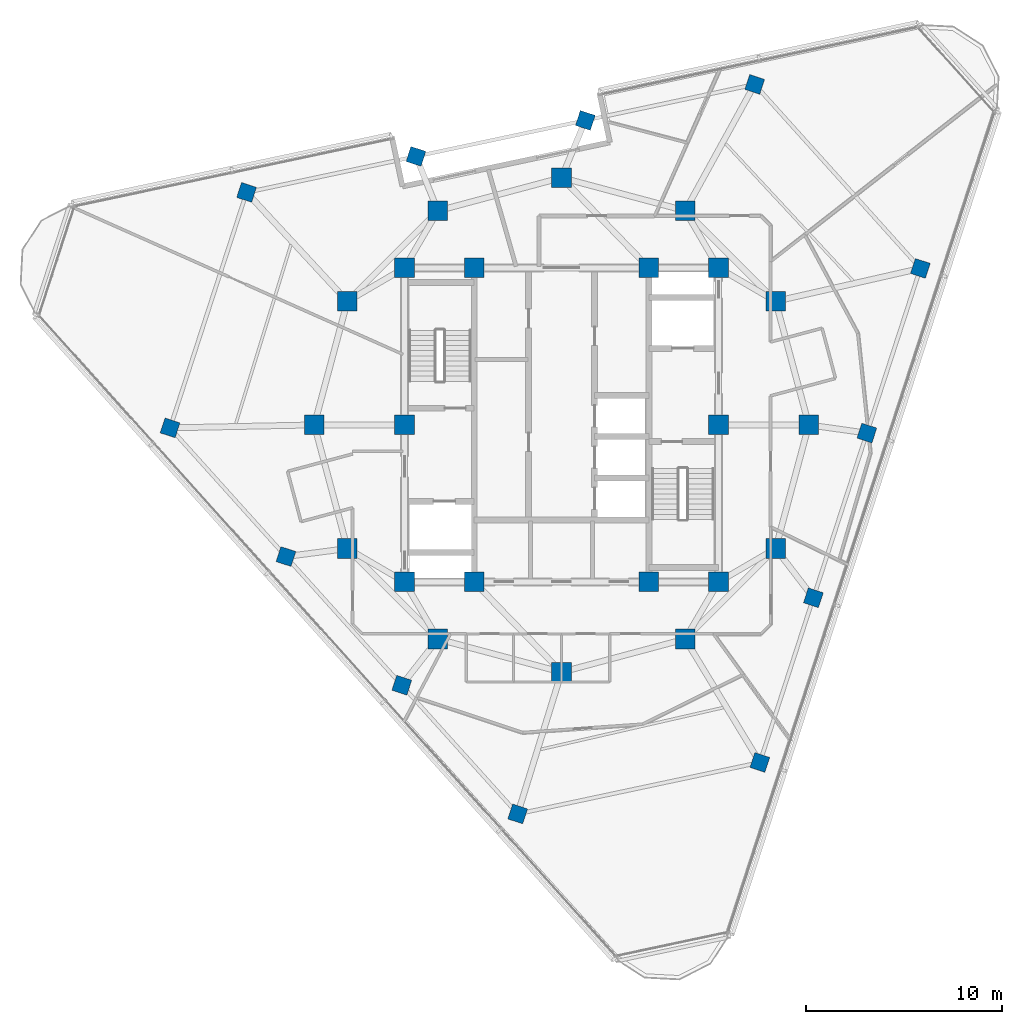
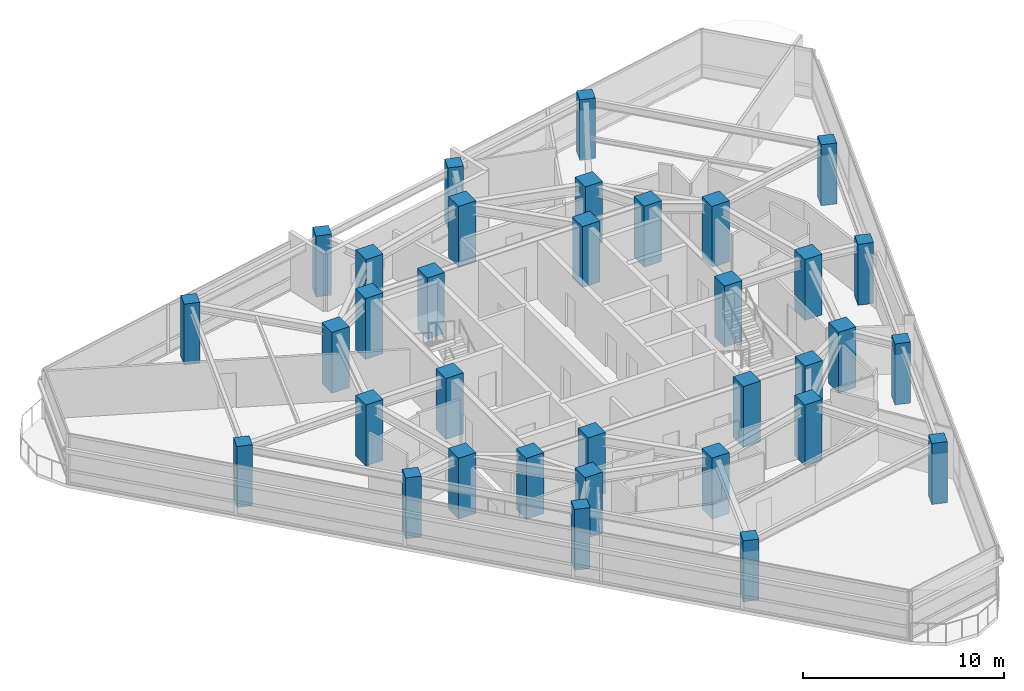
# One storey, part 1 of 15: 34 columns.
"""IFC4 building model written with IfcOpenShell, lengths in metres."""

from ifc_helpers import new_model, si_unit, direction, frame, origin, origin_2d, place, context, subcontext, project, spatial, rectangle, extrude, material, material_profile, profile_set, type_object, element, save


model = new_model("IFC4")

# Units and contexts
model_context = context("Model", 3, precision=1e-05, world=origin(), true_north=direction((0.0, 1.0)))
body_context = subcontext(model_context, "Body", "Model", "MODEL_VIEW")
ifc_project = project(units=[si_unit("LENGTHUNIT", "METRE"), si_unit("AREAUNIT", "SQUARE_METRE"), si_unit("VOLUMEUNIT", "CUBIC_METRE"), si_unit("PLANEANGLEUNIT", "RADIAN"), si_unit("MASSUNIT", "GRAM", prefix="KILO")], contexts=[model_context])

# Site, building, storey
site_placement = place(None, origin())
site = spatial("IfcSite", under=ifc_project, at=site_placement, CompositionType="ELEMENT")
building_placement = place(site_placement, origin())
building = spatial("IfcBuilding", under=site, at=building_placement, Name="Terralouvre Media Tower", CompositionType="ELEMENT")
storey_placement = place(building_placement, frame((0.0, 0.0, 298.0)))
storey = spatial("IfcBuildingStorey", under=building, at=storey_placement, Name="L77", CompositionType="ELEMENT", Elevation=298.0)

# Columns
ifc_material_1 = material(Name="Concrete C50/60", Category="concrete")
ifc_material_profile_1 = material_profile(ifc_material_1, rectangle(XDim=1.0, YDim=1.0, at=origin_2d()), Name="RC 1000x1000")
ifc_profile_set_1 = profile_set([ifc_material_profile_1], Name="Concrete C50/60")
column_type_1 = type_object("IfcColumnType", Name="Structural Column C-RC1000 (RC 1000x1000)", PredefinedType="COLUMN", material=ifc_profile_set_1)
for number, where, z_axis, x_axis, name in (
    (1, (-8.0, -8.0, 0.0), (0.0, 0.0, 1.0), (1.0, 0.0, 0.0), "L77 Core Pilaster Column CP1"),
    (2, (-4.449951171875, -8.0, 0.0), (0.0, 0.0, 1.0), (1.0, 0.0, 0.0), "L77 Core Pilaster Column CP2"),
    (3, (4.449951171875, -8.0, 0.0), (0.0, 0.0, 1.0), (1.0, 0.0, 0.0), "L77 Core Pilaster Column CP10"),
    (4, (8.0, -8.0, 0.0), (0.0, 0.0, 1.0), (1.0, 0.0, 0.0), "L77 Core Pilaster Column CP3"),
    (5, (8.0, 0.0, 0.0), (0.0, 0.0, 1.0), (1.0, 0.0, 0.0), "L77 Core Pilaster Column CP4"),
    (6, (8.0, 8.0, 0.0), (0.0, 0.0, 1.0), (1.0, 0.0, 0.0), "L77 Core Pilaster Column CP5"),
    (7, (4.449951171875, 8.0, 0.0), (0.0, 0.0, 1.0), (1.0, 0.0, 0.0), "L77 Core Pilaster Column CP9"),
    (8, (-4.449951171875, 8.0, 0.0), (0.0, 0.0, 1.0), (1.0, 0.0, 0.0), "L77 Core Pilaster Column CP6"),
    (9, (-8.0, 8.0, 0.0), (0.0, 0.0, 1.0), (1.0, 0.0, 0.0), "L77 Core Pilaster Column CP7"),
    (10, (-8.0, 0.0, 0.0), (0.0, 0.0, 1.0), (1.0, 0.0, 0.0), "L77 Core Pilaster Column CP8"),
    (11, (12.60009765625, 0.0, 0.0), (0.0, 0.0, 1.0), (1.0, 0.0, 0.0), "L77 Mega-Frame Column MC01"),
    (12, (10.911865234375, 6.300048828125, 0.0), (0.0, 0.0, 1.0), (1.0, 0.0, 0.0), "L77 Mega-Frame Column MC02"),
    (13, (6.300048828125, 10.911865234375, 0.0), (0.0, 0.0, 1.0), (1.0, 0.0, 0.0), "L77 Mega-Frame Column MC03"),
    (14, (0.0, 12.60009765625, 0.0), (0.0, 0.0, 1.0), (1.0, 0.0, 0.0), "L77 Mega-Frame Column MC04"),
    (15, (-6.300048828125, 10.911865234375, 0.0), (0.0, 0.0, 1.0), (1.0, 0.0, 0.0), "L77 Mega-Frame Column MC05"),
    (16, (-10.911865234375, 6.300048828125, 0.0), (0.0, 0.0, 1.0), (1.0, 0.0, 0.0), "L77 Mega-Frame Column MC06"),
    (17, (-12.60009765625, 0.0, 0.0), (0.0, 0.0, 1.0), (1.0, 0.0, 0.0), "L77 Mega-Frame Column MC07"),
    (18, (-10.911865234375, -6.300048828125, 0.0), (0.0, 0.0, 1.0), (1.0, 0.0, 0.0), "L77 Mega-Frame Column MC08"),
    (19, (-6.300048828125, -10.911865234375, 0.0), (0.0, 0.0, 1.0), (1.0, 0.0, 0.0), "L77 Mega-Frame Column MC09"),
    (20, (0.0, -12.60009765625, 0.0), (0.0, 0.0, 1.0), (1.0, 0.0, 0.0), "L77 Mega-Frame Column MC10"),
    (21, (6.300048828125, -10.911865234375, 0.0), (0.0, 0.0, 1.0), (1.0, 0.0, 0.0), "L77 Mega-Frame Column MC11"),
    (22, (10.911865234375, -6.300048828125, 0.0), (0.0, 0.0, 1.0), (1.0, 0.0, 0.0), "L77 Mega-Frame Column MC12"),
):
    element("IfcColumn", number, at=place(storey_placement, frame(where, z_axis=z_axis, x_axis=x_axis)), inside=storey, type_object=column_type_1, Name=name, PredefinedType="COLUMN", context=body_context, shape_type="SweptSolid", body=[
        extrude(rectangle(XDim=1.0, YDim=1.0, at=origin_2d()), origin(), (0.0, 0.0, 1.0), 3.699951171875),
    ])
ifc_material_2 = material(Name="Concrete C50/60", Category="concrete")
ifc_material_profile_2 = material_profile(ifc_material_2, rectangle(XDim=0.800048828125, YDim=0.800048828125, at=origin_2d()), Name="RC 800x800")
ifc_profile_set_2 = profile_set([ifc_material_profile_2], Name="Concrete C50/60")
column_type_2 = type_object("IfcColumnType", Name="Structural Column C-RC800 (RC 800x800)", PredefinedType="COLUMN", material=ifc_profile_set_2)
for number, where, z_axis, x_axis, name in (
    (23, (10.105712890625, -17.20068359375, 0.0), (0.0, 0.0, 1.0), (0.309016994375, 0.951056516295, 0.0), "L77 Perimeter Mega-Column PC11"),
    (24, (12.83251953125, -8.80859375, 0.0), (0.0, 0.0, 1.0), (0.309016994375, 0.951056516295, 0.0), "L77 Perimeter Mega-Column PC12"),
    (25, (15.55908203125, -0.41650390625, 0.0), (0.0, 0.0, 1.0), (0.309016994375, 0.951056516295, 0.0), "L77 Perimeter Mega-Column PC13"),
    (26, (18.285888671875, 7.9755859375, 0.0), (0.0, 0.0, 1.0), (0.309016994375, 0.951056516295, 0.0), "L77 Perimeter Mega-Column PC14"),
    (27, (9.843505859375, 17.35205078125, 0.0), (0.0, 0.0, 1.0), (0.309016994375, 0.951056516295, 0.0), "L77 Perimeter Mega-Column PC21"),
    (28, (1.212158203125, 15.517578125, 0.0), (0.0, 0.0, 1.0), (0.309016994375, 0.951056516295, 0.0), "L77 Perimeter Mega-Column PC22"),
    (29, (-7.4189453125, 13.682861328125, 0.0), (0.0, 0.0, 1.0), (0.309016994375, 0.951056516295, 0.0), "L77 Perimeter Mega-Column PC23"),
    (30, (-16.050048828125, 11.84814453125, 0.0), (0.0, 0.0, 1.0), (0.309016994375, 0.951056516295, 0.0), "L77 Perimeter Mega-Column PC24"),
    (31, (-19.948974609375, -0.1513671875, 0.0), (0.0, 0.0, 1.0), (0.309016994375, 0.951056516295, 0.0), "L77 Perimeter Mega-Column PC31"),
    (32, (-14.044677734375, -6.708984375, 0.0), (0.0, 0.0, 1.0), (0.309016994375, 0.951056516295, 0.0), "L77 Perimeter Mega-Column PC32"),
    (33, (-8.14013671875, -13.266357421875, 0.0), (0.0, 0.0, 1.0), (0.309016994375, 0.951056516295, 0.0), "L77 Perimeter Mega-Column PC33"),
    (34, (-2.23583984375, -19.823974609375, 0.0), (0.0, 0.0, 1.0), (0.309016994375, 0.951056516295, 0.0), "L77 Perimeter Mega-Column PC34"),
):
    element("IfcColumn", number, at=place(storey_placement, frame(where, z_axis=z_axis, x_axis=x_axis)), inside=storey, type_object=column_type_2, Name=name, PredefinedType="COLUMN", context=body_context, shape_type="SweptSolid", body=[
        extrude(rectangle(XDim=0.800048828125, YDim=0.800048828125, at=origin_2d()), origin(), (0.0, 0.0, 1.0), 3.699951171875),
    ])

save(model, "model.ifc")
